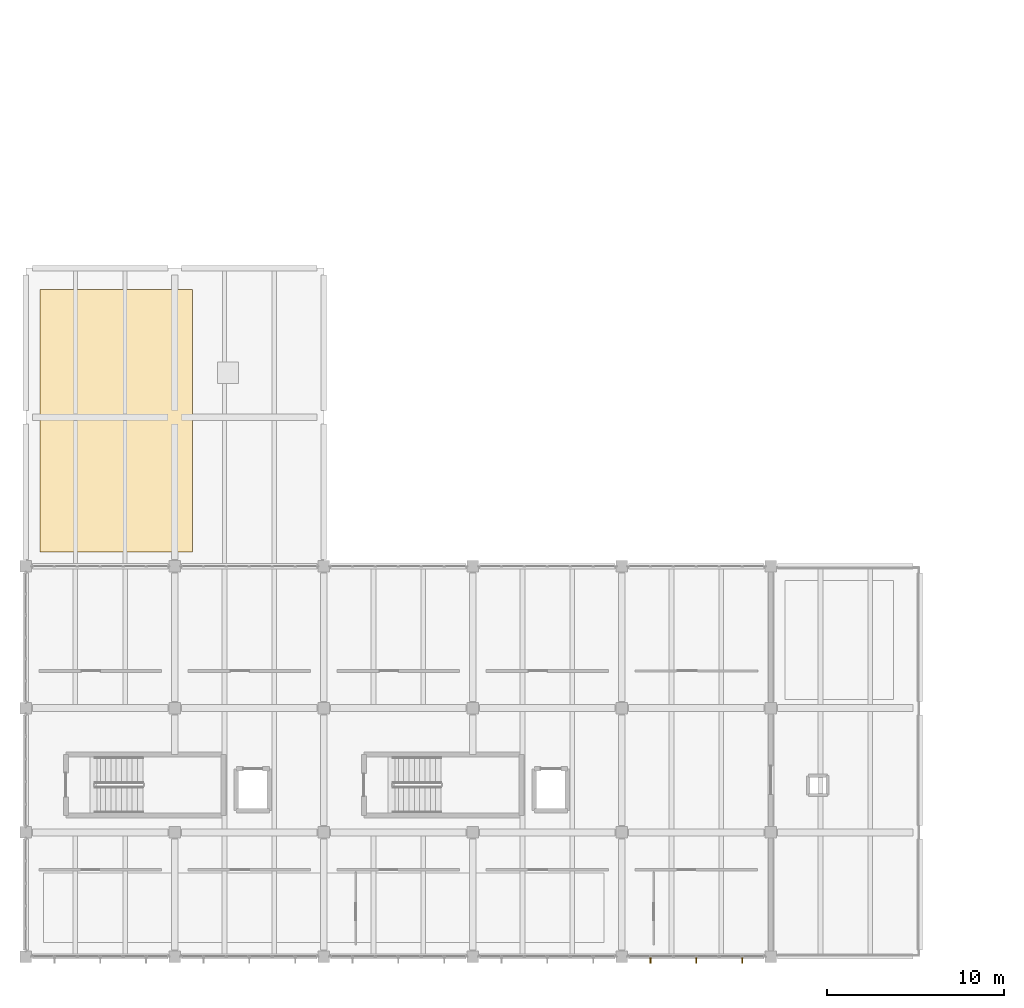
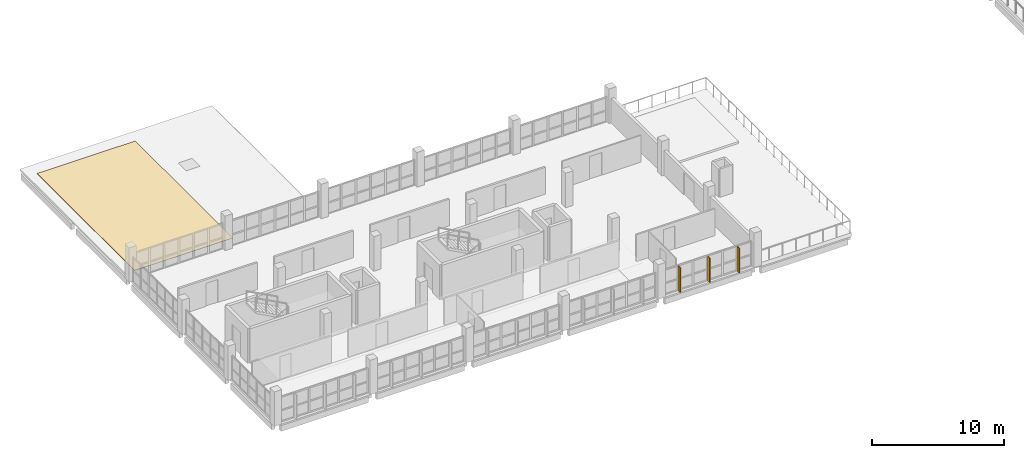
# One storey, part 31 of 33: 3 shading devices, 1 covering.
"""IFC4 building model written with IfcOpenShell, lengths in metres."""

from ifc_helpers import new_model, si_unit, direction, frame, origin, origin_2d, place, context, subcontext, project, spatial, polyline, rectangle, outline, extrude, material, layer, layer_set, type_object, element, save


model = new_model("IFC4")

# Units and contexts
model_context = context("Model", 3, precision=1e-05, world=origin(), true_north=direction((0.0, 1.0)))
body_context = subcontext(model_context, "Body", "Model", "MODEL_VIEW")
ifc_project = project(units=[si_unit("LENGTHUNIT", "METRE"), si_unit("AREAUNIT", "SQUARE_METRE"), si_unit("VOLUMEUNIT", "CUBIC_METRE"), si_unit("PLANEANGLEUNIT", "RADIAN"), si_unit("MASSUNIT", "GRAM", prefix="KILO"), si_unit("THERMODYNAMICTEMPERATUREUNIT", "KELVIN"), si_unit("POWERUNIT", "WATT")], contexts=[model_context])

# Site, building, storey
site_placement = place(None, origin())
site = spatial("IfcSite", under=ifc_project, at=site_placement, CompositionType="ELEMENT")
building_placement = place(site_placement, origin())
building = spatial("IfcBuilding", under=site, at=building_placement, Name="Mavoryth Pier Ferry Terminal", CompositionType="ELEMENT")
storey_placement = place(building_placement, frame((0.0, 0.0, 13.1201171875)))
storey = spatial("IfcBuildingStorey", under=building, at=storey_placement, Name="L03", CompositionType="ELEMENT", Elevation=13.1201171875)

# Shading devices
ifc_material_1 = material(Name="Anodised Aluminium Solar-Shading Fin", Category="aluminium")
shading_device_type = type_object("IfcShadingDeviceType", Name="Fin-BriseSoleil-350x70x2500", PredefinedType="SHUTTER", material=ifc_material_1)
for number, where, z_axis, x_axis, name in (
    (1, (77.216796875, -0.198974609375, 0.0), (0.0, 0.0, 1.0), (1.0, 0.0, 0.0), "Solar Shading Fin 130"),
    (2, (79.800048828125, -0.198974609375, 0.0), (0.0, 0.0, 1.0), (1.0, 0.0, 0.0), "Solar Shading Fin 131"),
    (3, (82.38330078125, -0.198974609375, 0.0), (0.0, 0.0, 1.0), (1.0, 0.0, 0.0), "Solar Shading Fin 132"),
):
    element("IfcShadingDevice", number, at=place(storey_placement, frame(where, z_axis=z_axis, x_axis=x_axis)), inside=storey, type_object=shading_device_type, Name=name, PredefinedType="SHUTTER", context=body_context, shape_type="SweptSolid", body=[
        extrude(rectangle(XDim=0.070068359375, YDim=0.35009765625, at=origin_2d()), origin(), (0.0, 0.0, 1.0), 2.284912109375),
    ])

# Covering
ifc_material_2 = material(Name="Solar-Reflective Waterproofing Membrane")
ifc_layer = layer(ifc_material_2, 0.0419921875, Name="Solar-Reflective Waterproofing Membrane")
ifc_layer_set = layer_set([ifc_layer], Name="Solar-Reflective Waterproofing Membrane - Roof-MembraneBallast-42")
covering_type = type_object("IfcCoveringType", Name="Roof-MembraneBallast-42", PredefinedType="ROOFING", material=ifc_layer_set)
covering_placement = place(storey_placement, origin())
element("IfcCovering", 4, at=covering_placement, inside=storey, type_object=covering_type, Name="Covering COV-L03-022", PredefinedType="ROOFING", context=body_context, shape_type="SweptSolid", body=[
    extrude(outline(polyline([(42.800048828125, 22.800048828125), (51.39990234375, 22.800048828125), (51.39990234375, 37.60009765625), (42.800048828125, 37.60009765625), (42.800048828125, 22.800048828125)])), origin(), (0.0, 0.0, 1.0), 0.0419921875),
])

save(model, "model.ifc")
